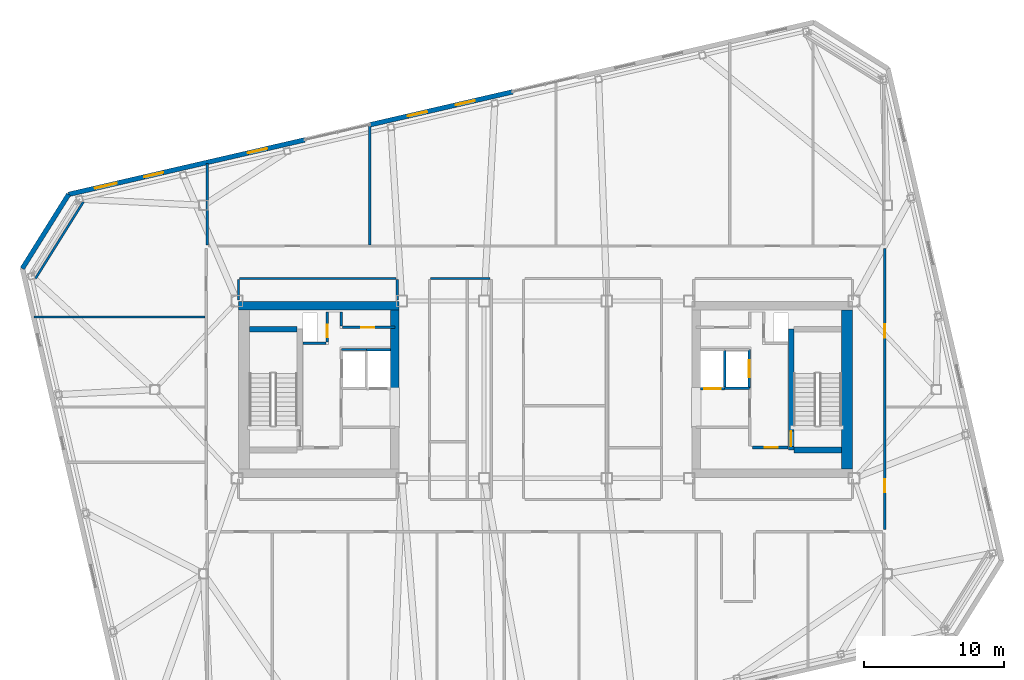
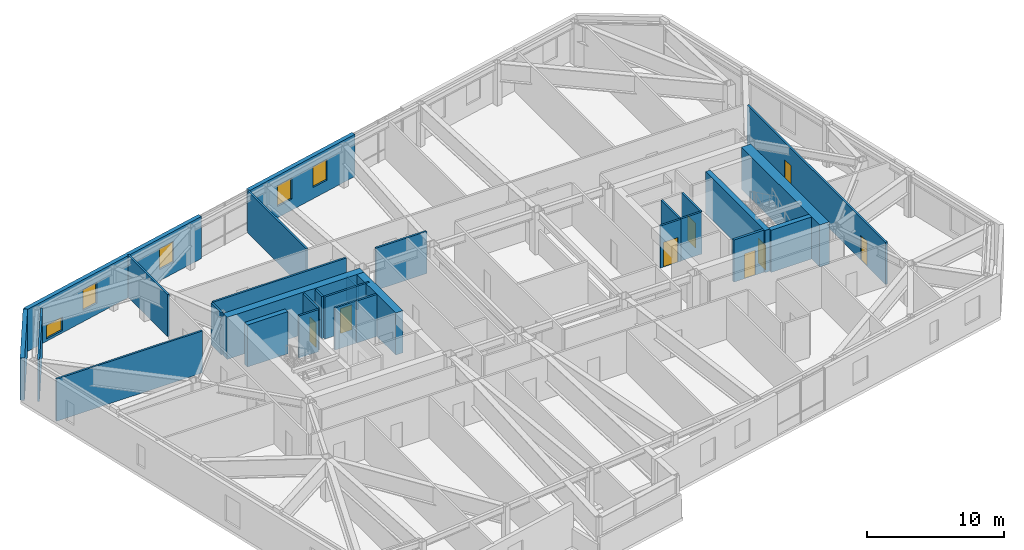
# One storey, part 16 of 21: 29 walls, 8 doors, 5 windows, 13 openings.
"""IFC4 building model written with IfcOpenShell, lengths in metres."""

import ifcopenshell
import ifcopenshell.guid

model = None  # the IFC model being written
_history = None  # IfcOwnerHistory: only IFC2X3 demands one
_inside = {}  # id of a spatial element -> (the spatial element, [elements in it])
_under = {}  # id of a project, library or spatial element -> (it, [spatial elements below it])
_declared = {}  # id of a project -> (the project, [libraries it declares])
_typed = {}  # id of a type object -> (the type object, [elements of that type])
_made_of = {}  # id of a material, layer set ... -> (it, [elements and type objects made of it])


def new_model(schema):
    """Start an empty IFC model of exactly this schema.

    Asked for "IFC4X3", IfcOpenShell would pick the latest addendum, in which some entities
    have other attributes; the version numbers below select the first issue.
    IFC2X3 requires an IfcOwnerHistory on every rooted entity: one is made here for all.
    """
    global model, _history
    if schema == "IFC4X3":
        model = ifcopenshell.file(schema_version=(4, 3, 0, 0))
    else:
        model = ifcopenshell.file(schema=schema)
    _inside.clear()
    _under.clear()
    _declared.clear()
    _typed.clear()
    _made_of.clear()
    _history = None
    if model.schema == "IFC2X3":
        org = make("IfcOrganization", Name="unknown")
        user = make(
            "IfcPersonAndOrganization",
            ThePerson=make("IfcPerson", FamilyName="unknown"),
            TheOrganization=org,
        )
        app = make(
            "IfcApplication",
            ApplicationDeveloper=org,
            Version="unknown",
            ApplicationFullName="unknown",
            ApplicationIdentifier="unknown",
        )
        _history = make(
            "IfcOwnerHistory",
            OwningUser=user,
            OwningApplication=app,
            ChangeAction="ADDED",
            CreationDate=0,
        )
    return model


def make(cls, **values):
    """One entity of the class cls with the attributes given. An attribute that is None is left unset."""
    return model.create_entity(
        cls, **{name: value for name, value in values.items() if value is not None}
    )


def rooted(cls, **values):
    """An entity with a GlobalId (a new one), such as an element, a storey or a relation."""
    return make(cls, GlobalId=ifcopenshell.guid.new(), OwnerHistory=_history, **values)


def si_unit(unit_type, name, prefix=None):
    """IfcSIUnit, for example si_unit("LENGTHUNIT", "METRE", prefix="MILLI")."""
    return make("IfcSIUnit", UnitType=unit_type, Prefix=prefix, Name=name)


def assignment(units):
    """IfcUnitAssignment: the units of a project."""
    return None if units is None else make("IfcUnitAssignment", Units=units)


def point(xyz):
    """IfcCartesianPoint."""
    return None if xyz is None else make("IfcCartesianPoint", Coordinates=xyz)


def direction(xyz):
    """IfcDirection."""
    return None if xyz is None else make("IfcDirection", DirectionRatios=xyz)


def frame(location, z_axis=None, x_axis=None):
    """IfcAxis2Placement3D, a coordinate frame: its origin and axes. An axis left out is left unset."""
    return make(
        "IfcAxis2Placement3D",
        Location=point(location),
        Axis=direction(z_axis),
        RefDirection=direction(x_axis),
    )


def frame_2d(location, x_axis=None):
    """IfcAxis2Placement2D, a coordinate frame in the plane: its origin and x axis."""
    return make(
        "IfcAxis2Placement2D", Location=point(location), RefDirection=direction(x_axis)
    )


def origin():
    """The frame at (0, 0, 0) with its axes left unset."""
    return frame((0.0, 0.0, 0.0))


def place(relative_to, where):
    """IfcLocalPlacement: puts the frame where relative to a parent placement (None: the world)."""
    return make(
        "IfcLocalPlacement", PlacementRelTo=relative_to, RelativePlacement=where
    )


def context(
    kind, dimensions, precision=None, world=None, true_north=None, identifier=None
):
    """IfcGeometricRepresentationContext, for example the 3D "Model" context."""
    return make(
        "IfcGeometricRepresentationContext",
        ContextIdentifier=identifier,
        ContextType=kind,
        CoordinateSpaceDimension=dimensions,
        Precision=precision,
        WorldCoordinateSystem=world,
        TrueNorth=true_north,
    )


def subcontext(parent, identifier, kind, view, scale=None):
    """IfcGeometricRepresentationSubContext, for example "Body" below "Model"."""
    return make(
        "IfcGeometricRepresentationSubContext",
        ContextIdentifier=identifier,
        ContextType=kind,
        ParentContext=parent,
        TargetScale=scale,
        TargetView=view,
    )


def project(units=None, contexts=None):
    """IfcProject with its units and contexts."""
    return rooted(
        "IfcProject",
        Name="project",
        RepresentationContexts=contexts,
        UnitsInContext=assignment(units),
    )


def spatial(cls, under=None, at=None, **own):
    """A site, building, storey or space (cls), placed at a placement, below another one or the project."""
    s = rooted(cls, ObjectPlacement=at, **own)
    if under is not None:
        _under.setdefault(under.id(), (under, []))[1].append(s)
    return s


def profile(cls, at=None, kind="AREA", **sizes):
    """A parametric profile (cls). Its sizes go by their IFC names, for example OverallWidth=200.0."""
    return make(cls, ProfileType=kind, Position=at, **sizes)


def rectangle(**sizes):
    """IfcRectangleProfileDef."""
    return profile("IfcRectangleProfileDef", **sizes)


def extrude(swept, where, along, depth):
    """IfcExtrudedAreaSolid: the profile swept, set in the frame where, extruded along a direction by depth."""
    return make(
        "IfcExtrudedAreaSolid",
        SweptArea=swept,
        Position=where,
        ExtrudedDirection=direction(along),
        Depth=depth,
    )


def shape(context_of_items, identifier, shape_type, items):
    """IfcShapeRepresentation: the items that make up one representation, for example the "Body"."""
    return make(
        "IfcShapeRepresentation",
        ContextOfItems=context_of_items,
        RepresentationIdentifier=identifier,
        RepresentationType=shape_type,
        Items=items,
    )


def material(Name=None, Category=None):
    """IfcMaterial."""
    return make("IfcMaterial", Name=Name, Category=Category)


def layer(
    of_material, thickness, ventilated=None, Name=None, Category=None, Priority=None
):
    """IfcMaterialLayer: one layer of a wall or slab, of a material (None: an air gap)."""
    return make(
        "IfcMaterialLayer",
        Material=of_material,
        LayerThickness=thickness,
        IsVentilated=ventilated,
        Name=Name,
        Category=Category,
        Priority=Priority,
    )


def layer_set(layers, Name=None):
    """IfcMaterialLayerSet."""
    return make("IfcMaterialLayerSet", MaterialLayers=layers, LayerSetName=Name)


def made_of(thing, what):
    """Note that an element or type object is made of a material, layer set ...; save() writes the relation."""
    if what is not None:
        _made_of.setdefault(what.id(), (what, []))[1].append(thing)
    return thing


def type_object(cls, material=None, **own):
    """A type object (cls), such as IfcWallType, which elements share."""
    return made_of(rooted(cls, **own), material)


def element(
    cls,
    number,
    at=None,
    inside=None,
    cuts=None,
    type_object=None,
    material=None,
    context=None,
    identifier="Body",
    shape_type=None,
    held_by="IfcProductDefinitionShape",
    body=None,
    shapes=None,
    **own,
):
    """One element of the class cls, such as IfcWall. Its Tag is "e" and its number.

    at: its placement. inside: the storey or other place that contains it. cuts: it is an
    opening in that element (IfcRelVoidsElement). A single representation is given by context,
    identifier, shape_type and body (its items); several are given by shapes. held_by: the class
    of the entity that holds the representations. save() writes the other relations.
    """
    e = rooted(cls, Tag="e%d" % number, ObjectPlacement=at, **own)
    if body is not None:
        shapes = [shape(context, identifier, shape_type, body)]
    if shapes is not None:
        e.Representation = make(held_by, Representations=shapes)
    if inside is not None:
        _inside.setdefault(inside.id(), (inside, []))[1].append(e)
    if cuts is not None:
        rooted(
            "IfcRelVoidsElement", RelatingBuildingElement=cuts, RelatedOpeningElement=e
        )
    if type_object is not None:
        _typed.setdefault(type_object.id(), (type_object, []))[1].append(e)
    return made_of(e, material)


def fill(opening, filler):
    """IfcRelFillsElement: the door or window that sits in an opening."""
    return rooted(
        "IfcRelFillsElement",
        RelatingOpeningElement=opening,
        RelatedBuildingElement=filler,
    )


def aggregate(whole, parts):
    """IfcRelAggregates: a whole, such as a stair, and the parts it consists of."""
    return rooted("IfcRelAggregates", RelatingObject=whole, RelatedObjects=parts)


def save(model, path):
    """Write the relations noted so far, then the file.

    IfcRelAggregates (storeys below a building ...), IfcRelContainedInSpatialStructure (elements
    in a storey), IfcRelDefinesByType, IfcRelAssociatesMaterial and IfcRelDeclares: one each for
    every whole, place, type object, material and project.
    """
    for whole, parts in _under.values():
        aggregate(whole, parts)
    for where, things in _inside.values():
        rooted(
            "IfcRelContainedInSpatialStructure",
            RelatedElements=things,
            RelatingStructure=where,
        )
    for kind, things in _typed.values():
        rooted("IfcRelDefinesByType", RelatedObjects=things, RelatingType=kind)
    for what, things in _made_of.values():
        rooted("IfcRelAssociatesMaterial", RelatedObjects=things, RelatingMaterial=what)
    for by, libraries in _declared.values():
        rooted("IfcRelDeclares", RelatingContext=by, RelatedDefinitions=libraries)
    model.write(path)


model = new_model("IFC4")

# Units and contexts
model_context = context("Model", 3, precision=1e-05, world=origin(), true_north=direction((0.0, 1.0)))
body_context = subcontext(model_context, "Body", "Model", "MODEL_VIEW")
ifc_project = project(units=[si_unit("LENGTHUNIT", "METRE"), si_unit("AREAUNIT", "SQUARE_METRE"), si_unit("VOLUMEUNIT", "CUBIC_METRE"), si_unit("PLANEANGLEUNIT", "RADIAN"), si_unit("MASSUNIT", "GRAM", prefix="KILO")], contexts=[model_context])

# Site, building, storey
site_placement = place(None, origin())
site = spatial("IfcSite", under=ifc_project, at=site_placement, CompositionType="ELEMENT")
building_placement = place(site_placement, origin())
building = spatial("IfcBuilding", under=site, at=building_placement, Name="Tavrogorsk Clinical Tower", CompositionType="ELEMENT")
storey_placement = place(building_placement, frame((0.0, 0.0, 281.0)))
storey = spatial("IfcBuildingStorey", under=building, at=storey_placement, Name="L65", CompositionType="ELEMENT", Elevation=281.0)

# Wall, opening, door
ifc_material_1 = material(Name="Concrete B60", Category="concrete")
ifc_layer_1 = layer(ifc_material_1, 0.199951171875)
ifc_layer_set_1 = layer_set([ifc_layer_1], Name="Concrete B60")
wall_type_1 = type_object("IfcWallType", Name="CoreFireWall_200", PredefinedType="SOLIDWALL", material=ifc_layer_set_1)
wall_1_placement = place(storey_placement, frame((14.824951171875, -4.139892578125, 0.0), z_axis=(0.0, 0.0, 1.0), x_axis=(1.0, 0.0, 0.0)))
wall_1 = element("IfcWall", 1, at=wall_1_placement, inside=storey, type_object=wall_type_1, Name="L65 Core East South Core Room Fire Wall", PredefinedType="SOLIDWALL", context=body_context, shape_type="SweptSolid", body=[
    extrude(rectangle(XDim=2.554931640625, YDim=0.199951171875, at=frame_2d((1.27734375, 0.0))), origin(), (0.0, 0.0, 1.0), 3.739990234375),
])
opening_1_placement = place(wall_1_placement, frame((0.8798828125, 0.0, 0.0)))
opening_1 = element("IfcOpeningElement", 2, at=opening_1_placement, cuts=wall_1, Name="Opening ID-02", PredefinedType="OPENING", context=body_context, shape_type="SweptSolid", body=[
    extrude(rectangle(XDim=0.949951171875, YDim=2.199951171875, at=frame_2d((0.47509765625, 1.10009765625))), frame((0.0, 0.10986328125, 0.0), z_axis=(0.0, -1.0, 0.0), x_axis=(1.0, 0.0, 0.0)), (0.0, 0.0, 1.0), 0.219970703125),
])
ifc_material_2 = material(Name="Laminated timber leaf on aluminium frame", Category="wood")
door_type_1 = type_object("IfcDoorType", Name="InteriorDoor_ID02_950", OperationType="NOTDEFINED", PredefinedType="DOOR", material=ifc_material_2)
door_1_placement = place(opening_1_placement, origin())
door_1 = element("IfcDoor", 3, at=door_1_placement, inside=storey, type_object=door_type_1, Name="L65 Core East South Core Room Door", OperationType="SINGLE_SWING_RIGHT", OverallHeight=2.199951171875, OverallWidth=0.949951171875, PredefinedType="DOOR", context=body_context, shape_type="SweptSolid", body=[
    extrude(rectangle(XDim=0.949951171875, YDim=2.199951171875, at=frame_2d((0.47509765625, 1.10009765625))), frame((0.0, 0.02490234375, 0.0), z_axis=(0.0, -1.0, 0.0), x_axis=(1.0, 0.0, 0.0)), (0.0, 0.0, 1.0), 0.050048828125),
])
fill(opening_1, door_1)

ifc_material_3 = material(Name="Lightweight concrete blockwork B15", Category="masonry")
ifc_layer_2 = layer(ifc_material_3, 0.159912109375)
ifc_layer_set_2 = layer_set([ifc_layer_2], Name="Lightweight concrete blockwork B15")
wall_type_2 = type_object("IfcWallType", Name="PartitionWall_160", PredefinedType="PARTITIONING", material=ifc_layer_set_2)
wall_2_placement = place(storey_placement, frame((-14.554931640625, 4.4599609375, 0.0), z_axis=(0.0, 0.0, 1.0), x_axis=(1.0, 0.0, 0.0)))
wall_2 = element("IfcWall", 4, at=wall_2_placement, inside=storey, type_object=wall_type_2, Name="L65 Core West Pneumatic Dispatch South Wall", PredefinedType="PARTITIONING", context=body_context, shape_type="SweptSolid", body=[
    extrude(rectangle(XDim=3.7548828125, YDim=0.159912109375, at=frame_2d((1.87744140625, 0.0))), origin(), (0.0, 0.0, 1.0), 3.739990234375),
])
opening_2_placement = place(wall_2_placement, frame((1.35009765625, 0.0, 0.0)))
opening_2 = element("IfcOpeningElement", 5, at=opening_2_placement, cuts=wall_2, Name="Opening ID-02", PredefinedType="OPENING", context=body_context, shape_type="SweptSolid", body=[
    extrude(rectangle(XDim=0.949951171875, YDim=2.199951171875, at=frame_2d((0.47509765625, 1.10009765625))), frame((0.0, 0.08984375, 0.0), z_axis=(0.0, -1.0, 0.0), x_axis=(1.0, 0.0, 0.0)), (0.0, 0.0, 1.0), 0.179931640625),
])
door_2_placement = place(opening_2_placement, origin())
door_2 = element("IfcDoor", 6, at=door_2_placement, inside=storey, type_object=door_type_1, Name="L65 Core West Pneumatic Dispatch Door", OperationType="SINGLE_SWING_LEFT", OverallHeight=2.199951171875, OverallWidth=0.949951171875, PredefinedType="DOOR", context=body_context, shape_type="SweptSolid", body=[
    extrude(rectangle(XDim=0.949951171875, YDim=2.199951171875, at=frame_2d((0.47509765625, 1.10009765625))), frame((0.0, 0.02490234375, 0.0), z_axis=(0.0, -1.0, 0.0), x_axis=(1.0, 0.0, 0.0)), (0.0, 0.0, 1.0), 0.050048828125),
])
fill(opening_2, door_2)

# Walls
wall_3_placement = place(storey_placement, frame((-14.639892578125, 4.544921875, 0.0), z_axis=(0.0, 0.0, 1.0), x_axis=(0.0, 1.0, 0.0)))
element("IfcWall", 7, at=wall_3_placement, inside=storey, type_object=wall_type_2, Name="L65 Core West Pneumatic Dispatch East Wall", PredefinedType="PARTITIONING", context=body_context, shape_type="SweptSolid", body=[
    extrude(rectangle(XDim=1.01513671875, YDim=0.159912109375, at=frame_2d((0.507568359375, 0.0))), origin(), (0.0, 0.0, 1.0), 3.739990234375),
])
wall_4_placement = place(storey_placement, frame((-33.10009765625, 13.464599609375, 0.0), z_axis=(0.0, 0.0, 1.0), x_axis=(-0.529958457806, -0.848023604035, 0.0)))
element("IfcWall", 8, at=wall_4_placement, inside=storey, type_object=wall_type_2, Name="L65 Corner Exoskeleton Brace Furring Wall 3", PredefinedType="PARTITIONING", context=body_context, shape_type="SweptSolid", body=[
    extrude(rectangle(XDim=6.505126953125, YDim=0.159912109375, at=frame_2d((3.25244140625, 0.0))), origin(), (0.0, 0.0, 1.0), 3.739990234375),
])

# Wall, openings, doors
wall_5_placement = place(storey_placement, frame((24.31005859375, 10.114990234375, 0.0), z_axis=(0.0, 0.0, 1.0), x_axis=(0.0, -1.0, 0.0)))
wall_5 = element("IfcWall", 9, at=wall_5_placement, inside=storey, type_object=wall_type_2, Name="L65 Corridor Partition 03", PredefinedType="PARTITIONING", context=body_context, shape_type="SweptSolid", body=[
    extrude(rectangle(XDim=20.1298828125, YDim=0.159912109375, at=frame_2d((10.06494140625, 0.0))), origin(), (0.0, 0.0, 1.0), 3.739990234375),
])
opening_3_placement = place(wall_5_placement, frame((16.52587890625, 0.0, 0.0)))
opening_3 = element("IfcOpeningElement", 10, at=opening_3_placement, cuts=wall_5, Name="Opening ID-02", PredefinedType="OPENING", context=body_context, shape_type="SweptSolid", body=[
    extrude(rectangle(XDim=0.949951171875, YDim=2.199951171875, at=frame_2d((0.47509765625, 1.10009765625))), frame((0.0, 0.08984375, 0.0), z_axis=(0.0, -1.0, 0.0), x_axis=(1.0, 0.0, 0.0)), (0.0, 0.0, 1.0), 0.179931640625),
])
opening_4_placement = place(wall_5_placement, frame((5.444091796875, 0.0, 0.0)))
opening_4 = element("IfcOpeningElement", 11, at=opening_4_placement, cuts=wall_5, Name="Opening ID-02", PredefinedType="OPENING", context=body_context, shape_type="SweptSolid", body=[
    extrude(rectangle(XDim=0.949951171875, YDim=2.199951171875, at=frame_2d((0.47509765625, 1.10009765625))), frame((0.0, 0.08984375, 0.0), z_axis=(0.0, -1.0, 0.0), x_axis=(1.0, 0.0, 0.0)), (0.0, 0.0, 1.0), 0.179931640625),
])
door_3_placement = place(opening_3_placement, origin())
door_3 = element("IfcDoor", 12, at=door_3_placement, inside=storey, type_object=door_type_1, Name="L65 E Senior Clinician Suite 1 Door", OperationType="SINGLE_SWING_RIGHT", OverallHeight=2.199951171875, OverallWidth=0.949951171875, PredefinedType="DOOR", context=body_context, shape_type="SweptSolid", body=[
    extrude(rectangle(XDim=0.949951171875, YDim=2.199951171875, at=frame_2d((0.47509765625, 1.10009765625))), frame((0.0, 0.02490234375, 0.0), z_axis=(0.0, -1.0, 0.0), x_axis=(1.0, 0.0, 0.0)), (0.0, 0.0, 1.0), 0.050048828125),
])
fill(opening_3, door_3)
door_4_placement = place(opening_4_placement, origin())
door_4 = element("IfcDoor", 13, at=door_4_placement, inside=storey, type_object=door_type_1, Name="L65 E Multidisciplinary Seminar Suite 2 Door", OperationType="SINGLE_SWING_LEFT", OverallHeight=2.199951171875, OverallWidth=0.949951171875, PredefinedType="DOOR", context=body_context, shape_type="SweptSolid", body=[
    extrude(rectangle(XDim=0.949951171875, YDim=2.199951171875, at=frame_2d((0.47509765625, 1.10009765625))), frame((0.0, 0.02490234375, 0.0), z_axis=(0.0, -1.0, 0.0), x_axis=(1.0, 0.0, 0.0)), (0.0, 0.0, 1.0), 0.050048828125),
])
fill(opening_4, door_4)

# Walls
wall_6_placement = place(storey_placement, frame((-3.965087890625, 7.969970703125, 0.0), z_axis=(0.0, 0.0, 1.0), x_axis=(-1.0, 0.0, 0.0)))
element("IfcWall", 14, at=wall_6_placement, inside=storey, type_object=wall_type_2, Name="L65 Corridor Partition 20", PredefinedType="PARTITIONING", context=body_context, shape_type="SweptSolid", body=[
    extrude(rectangle(XDim=4.27001953125, YDim=0.159912109375, at=frame_2d((2.135009765625, 0.0))), origin(), (0.0, 0.0, 1.0), 3.739990234375),
])
wall_7_placement = place(storey_placement, frame((-10.6298828125, 6.419921875, 0.0), z_axis=(0.0, 0.0, 1.0), x_axis=(0.0, 1.0, 0.0)))
element("IfcWall", 15, at=wall_7_placement, inside=storey, type_object=wall_type_2, Name="L65 Corridor Partition 24", PredefinedType="PARTITIONING", context=body_context, shape_type="SweptSolid", body=[
    extrude(rectangle(XDim=1.465087890625, YDim=0.159912109375, at=frame_2d((0.732421875, 0.0))), origin(), (0.0, 0.0, 1.0), 2.135009765625),
])
wall_8_placement = place(storey_placement, frame((-10.715087890625, 7.969970703125, 0.0), z_axis=(0.0, 0.0, 1.0), x_axis=(-1.0, 0.0, 0.0)))
element("IfcWall", 16, at=wall_8_placement, inside=storey, type_object=wall_type_2, Name="L65 Corridor Partition 25", PredefinedType="PARTITIONING", context=body_context, shape_type="SweptSolid", body=[
    extrude(rectangle(XDim=11.199951171875, YDim=0.159912109375, at=frame_2d((5.60009765625, 0.0))), origin(), (0.0, 0.0, 1.0), 3.739990234375),
])
wall_9_placement = place(storey_placement, frame((-22.0, 7.885009765625, 0.0), z_axis=(0.0, 0.0, 1.0), x_axis=(0.0, -1.0, 0.0)))
element("IfcWall", 17, at=wall_9_placement, inside=storey, type_object=wall_type_2, Name="L65 Corridor Partition 26", PredefinedType="PARTITIONING", context=body_context, shape_type="SweptSolid", body=[
    extrude(rectangle(XDim=1.465087890625, YDim=0.159912109375, at=frame_2d((0.732421875, 0.0))), origin(), (0.0, 0.0, 1.0), 3.739990234375),
])
wall_10_placement = place(storey_placement, frame((-24.22998046875, 10.364990234375, 0.0), z_axis=(0.0, 0.0, 1.0), x_axis=(0.0, 1.0, 0.0)))
element("IfcWall", 18, at=wall_10_placement, inside=storey, type_object=wall_type_2, Name="L65 NW Wing Closure Partition", PredefinedType="PARTITIONING", context=body_context, shape_type="SweptSolid", body=[
    extrude(rectangle(XDim=5.845947265625, YDim=0.159912109375, at=frame_2d((2.9228515625, 0.0))), origin(), (0.0, 0.0, 1.0), 3.739990234375),
])
wall_11_placement = place(storey_placement, frame((-12.60009765625, 10.364990234375, 0.0), z_axis=(0.0, 0.0, 1.0), x_axis=(0.0, 1.0, 0.0)))
element("IfcWall", 19, at=wall_11_placement, inside=storey, type_object=wall_type_2, Name="L65 North Room Partition 1", PredefinedType="PARTITIONING", context=body_context, shape_type="SweptSolid", body=[
    extrude(rectangle(XDim=8.531005859375, YDim=0.159912109375, at=frame_2d((4.265625, 0.0))), origin(), (0.0, 0.0, 1.0), 3.739990234375),
])
wall_12_placement = place(storey_placement, frame((-36.662841796875, 5.199951171875, 0.0), z_axis=(0.0, 0.0, 1.0), x_axis=(1.0, 0.0, 0.0)))
element("IfcWall", 20, at=wall_12_placement, inside=storey, type_object=wall_type_2, Name="L65 W Wing Divider 3", PredefinedType="PARTITIONING", context=body_context, shape_type="SweptSolid", body=[
    extrude(rectangle(XDim=12.267822265625, YDim=0.159912109375, at=frame_2d((6.1337890625, 0.0))), origin(), (0.0, 0.0, 1.0), 3.739990234375),
])

# Wall, openings, windows
ifc_material_4 = material(Name="Precast concrete B45 with limestone cladding", Category="masonry")
ifc_layer_3 = layer(ifc_material_4, 0.340087890625)
ifc_layer_set_3 = layer_set([ifc_layer_3], Name="Precast concrete B45 with limestone cladding")
wall_type_3 = type_object("IfcWallType", Name="PrecastLimestoneWall_340", PredefinedType="STANDARD", material=ifc_layer_set_3)
wall_13_placement = place(storey_placement, frame((-2.3681640625, 21.330078125, 0.0), z_axis=(0.0, 0.0, 1.0), x_axis=(-0.974367213107, -0.224963405961, 0.0)))
wall_13 = element("IfcWall", 21, at=wall_13_placement, inside=storey, type_object=wall_type_3, Name="L65 N Limestone Facade Wall 2", PredefinedType="STANDARD", context=body_context, shape_type="SweptSolid", body=[
    extrude(rectangle(XDim=10.46826171875, YDim=0.340087890625, at=frame_2d((5.234130859375, 0.0))), origin(), (0.0, 0.0, 1.0), 3.739990234375),
])
opening_5_placement = place(wall_13_placement, frame((6.2900390625, 0.0, 1.0)))
opening_5 = element("IfcOpeningElement", 22, at=opening_5_placement, cuts=wall_13, Name="Opening WN-17", PredefinedType="OPENING", context=body_context, shape_type="SweptSolid", body=[
    extrude(rectangle(XDim=1.39990234375, YDim=1.85009765625, at=frame_2d((0.699951171875, 0.925048828125))), frame((0.0, 0.179931640625, 0.0), z_axis=(0.0, -1.0, 0.0), x_axis=(1.0, 0.0, 0.0)), (0.0, 0.0, 1.0), 0.360107421875),
])
opening_6_placement = place(wall_13_placement, frame((2.7783203125, 0.0, 1.0)))
opening_6 = element("IfcOpeningElement", 23, at=opening_6_placement, cuts=wall_13, Name="Opening WN-17", PredefinedType="OPENING", context=body_context, shape_type="SweptSolid", body=[
    extrude(rectangle(XDim=1.39990234375, YDim=1.85009765625, at=frame_2d((0.699951171875, 0.925048828125))), frame((0.0, 0.179931640625, 0.0), z_axis=(0.0, -1.0, 0.0), x_axis=(1.0, 0.0, 0.0)), (0.0, 0.0, 1.0), 0.360107421875),
])
ifc_material_5 = material(Name="Thermally broken aluminium frame and triple IGU", Category="aluminium")
window_type_1 = type_object("IfcWindowType", Name="TelemetryWin_1400x1850", PartitioningType="SINGLE_PANEL", PredefinedType="WINDOW", material=ifc_material_5)
window_1_placement = place(opening_5_placement, origin())
window_1 = element("IfcWindow", 24, at=window_1_placement, inside=storey, type_object=window_type_1, Name="L65 N Chicago Window 05", OverallHeight=1.85009765625, OverallWidth=1.39990234375, PartitioningType="SINGLE_PANEL", PredefinedType="WINDOW", context=body_context, shape_type="SweptSolid", body=[
    extrude(rectangle(XDim=1.39990234375, YDim=1.85009765625, at=frame_2d((0.699951171875, 0.925048828125))), frame((0.0, 0.030029296875, 0.0), z_axis=(0.0, -1.0, 0.0), x_axis=(1.0, 0.0, 0.0)), (0.0, 0.0, 1.0), 0.06005859375),
])
fill(opening_5, window_1)
window_2_placement = place(opening_6_placement, origin())
window_2 = element("IfcWindow", 25, at=window_2_placement, inside=storey, type_object=window_type_1, Name="L65 N Chicago Window 06", OverallHeight=1.85009765625, OverallWidth=1.39990234375, PartitioningType="SINGLE_PANEL", PredefinedType="WINDOW", context=body_context, shape_type="SweptSolid", body=[
    extrude(rectangle(XDim=1.39990234375, YDim=1.85009765625, at=frame_2d((0.699951171875, 0.925048828125))), frame((0.0, 0.030029296875, 0.0), z_axis=(0.0, -1.0, 0.0), x_axis=(1.0, 0.0, 0.0)), (0.0, 0.0, 1.0), 0.06005859375),
])
fill(opening_6, window_2)

wall_14_placement = place(storey_placement, frame((-17.2451171875, 17.895263671875, 0.0), z_axis=(0.0, 0.0, 1.0), x_axis=(-0.97437318493, -0.224937539085, 0.0)))
wall_14 = element("IfcWall", 26, at=wall_14_placement, inside=storey, type_object=wall_type_3, Name="L65 N Limestone Facade Wall 3", PredefinedType="STANDARD", context=body_context, shape_type="SweptSolid", body=[
    extrude(rectangle(XDim=17.365966796875, YDim=0.340087890625, at=frame_2d((8.68310546875, 0.0))), origin(), (0.0, 0.0, 1.0), 3.739990234375),
])
opening_7_placement = place(wall_14_placement, frame((13.82470703125, 0.0, 0.219970703125)))
opening_7 = element("IfcOpeningElement", 27, at=opening_7_placement, cuts=wall_14, Name="Opening WN-09", PredefinedType="OPENING", context=body_context, shape_type="SweptSolid", body=[
    extrude(rectangle(XDim=1.60009765625, YDim=1.199951171875, at=frame_2d((0.800048828125, 0.60009765625))), frame((0.0, 0.179931640625, 0.0), z_axis=(0.0, -1.0, 0.0), x_axis=(1.0, 0.0, 0.0)), (0.0, 0.0, 1.0), 0.360107421875),
])
opening_8_placement = place(wall_14_placement, frame((10.412841796875, 0.0, 1.0)))
opening_8 = element("IfcOpeningElement", 28, at=opening_8_placement, cuts=wall_14, Name="Opening WN-17", PredefinedType="OPENING", context=body_context, shape_type="SweptSolid", body=[
    extrude(rectangle(XDim=1.39990234375, YDim=1.85009765625, at=frame_2d((0.699951171875, 0.925048828125))), frame((0.0, 0.179931640625, 0.0), z_axis=(0.0, -1.0, 0.0), x_axis=(1.0, 0.0, 0.0)), (0.0, 0.0, 1.0), 0.360107421875),
])
opening_9_placement = place(wall_14_placement, frame((2.778564453125, 0.0, 1.0)))
opening_9 = element("IfcOpeningElement", 29, at=opening_9_placement, cuts=wall_14, Name="Opening WN-17", PredefinedType="OPENING", context=body_context, shape_type="SweptSolid", body=[
    extrude(rectangle(XDim=1.39990234375, YDim=1.85009765625, at=frame_2d((0.699951171875, 0.925048828125))), frame((0.0, 0.179931640625, 0.0), z_axis=(0.0, -1.0, 0.0), x_axis=(1.0, 0.0, 0.0)), (0.0, 0.0, 1.0), 0.360107421875),
])
ifc_material_6 = material(Name="Thermally broken aluminium frame and triple IGU", Category="aluminium")
window_type_2 = type_object("IfcWindowType", Name="LowHeadTransWin_1600x1200", PartitioningType="DOUBLE_PANEL_VERTICAL", PredefinedType="WINDOW", material=ifc_material_6)
window_3_placement = place(opening_7_placement, origin())
window_3 = element("IfcWindow", 30, at=window_3_placement, inside=storey, type_object=window_type_2, Name="L65 N Chicago Window 01", OverallHeight=1.199951171875, OverallWidth=1.60009765625, PartitioningType="SINGLE_PANEL", PredefinedType="WINDOW", context=body_context, shape_type="SweptSolid", body=[
    extrude(rectangle(XDim=1.60009765625, YDim=1.199951171875, at=frame_2d((0.800048828125, 0.60009765625))), frame((0.0, 0.030029296875, 0.0), z_axis=(0.0, -1.0, 0.0), x_axis=(1.0, 0.0, 0.0)), (0.0, 0.0, 1.0), 0.06005859375),
])
fill(opening_7, window_3)
window_4_placement = place(opening_8_placement, origin())
window_4 = element("IfcWindow", 31, at=window_4_placement, inside=storey, type_object=window_type_1, Name="L65 N Chicago Window 02", OverallHeight=1.85009765625, OverallWidth=1.39990234375, PartitioningType="SINGLE_PANEL", PredefinedType="WINDOW", context=body_context, shape_type="SweptSolid", body=[
    extrude(rectangle(XDim=1.39990234375, YDim=1.85009765625, at=frame_2d((0.699951171875, 0.925048828125))), frame((0.0, 0.030029296875, 0.0), z_axis=(0.0, -1.0, 0.0), x_axis=(1.0, 0.0, 0.0)), (0.0, 0.0, 1.0), 0.06005859375),
])
fill(opening_8, window_4)
window_5_placement = place(opening_9_placement, origin())
window_5 = element("IfcWindow", 32, at=window_5_placement, inside=storey, type_object=window_type_1, Name="L65 N Chicago Window 04", OverallHeight=1.85009765625, OverallWidth=1.39990234375, PartitioningType="SINGLE_PANEL", PredefinedType="WINDOW", context=body_context, shape_type="SweptSolid", body=[
    extrude(rectangle(XDim=1.39990234375, YDim=1.85009765625, at=frame_2d((0.699951171875, 0.925048828125))), frame((0.0, 0.030029296875, 0.0), z_axis=(0.0, -1.0, 0.0), x_axis=(1.0, 0.0, 0.0)), (0.0, 0.0, 1.0), 0.06005859375),
])
fill(opening_9, window_5)

# Walls
wall_15_placement = place(storey_placement, frame((-34.165771484375, 13.989013671875, 0.0), z_axis=(0.0, 0.0, 1.0), x_axis=(-0.529935887993, -0.848037708252, 0.0)))
element("IfcWall", 33, at=wall_15_placement, inside=storey, type_object=wall_type_3, Name="L65 Chamfered Corner Wall 3", PredefinedType="STANDARD", context=body_context, shape_type="SweptSolid", body=[
    extrude(rectangle(XDim=6.26513671875, YDim=0.340087890625, at=frame_2d((3.132568359375, 0.0))), origin(), (0.0, 0.0, 1.0), 3.739990234375),
])
ifc_material_7 = material(Name="Lightweight concrete blockwork B25", Category="masonry")
ifc_layer_4 = layer(ifc_material_7, 0.159912109375)
ifc_layer_set_4 = layer_set([ifc_layer_4], Name="Lightweight concrete blockwork B25")
wall_type_4 = type_object("IfcWallType", Name="ShaftWall_160", PredefinedType="PARTITIONING", material=ifc_layer_set_4)
wall_16_placement = place(storey_placement, frame((-14.60009765625, 2.8798828125, 0.0), z_axis=(0.0, 0.0, 1.0), x_axis=(1.0, 0.0, 0.0)))
element("IfcWall", 34, at=wall_16_placement, inside=storey, type_object=wall_type_4, Name="L65 FFL-W Shaft North Wall", PredefinedType="PARTITIONING", context=body_context, shape_type="SweptSolid", body=[
    extrude(rectangle(XDim=1.760009765625, YDim=0.159912109375, at=frame_2d((0.8798828125, 0.0))), origin(), (0.0, 0.0, 1.0), 3.739990234375),
])
wall_17_placement = place(storey_placement, frame((-12.820068359375, 2.860107421875, 0.0), z_axis=(0.0, 0.0, 1.0), x_axis=(1.0, 0.0, 0.0)))
element("IfcWall", 35, at=wall_17_placement, inside=storey, type_object=wall_type_4, Name="L65 LP-H1 High-Zone Lift Rear Wall", PredefinedType="PARTITIONING", context=body_context, shape_type="SweptSolid", body=[
    extrude(rectangle(XDim=1.719970703125, YDim=0.159912109375, at=frame_2d((0.85986328125, 0.0))), origin(), (0.0, 0.0, 1.0), 3.739990234375),
])

# Wall, opening, door
wall_18_placement = place(storey_placement, frame((14.60009765625, 0.1201171875, 0.0), z_axis=(0.0, 0.0, 1.0), x_axis=(0.0, 1.0, 0.0)))
wall_18 = element("IfcWall", 36, at=wall_18_placement, inside=storey, type_object=wall_type_4, Name="L65 FFL-E Firefighting Lift Front Wall", PredefinedType="PARTITIONING", context=body_context, shape_type="SweptSolid", body=[
    extrude(rectangle(XDim=2.739990234375, YDim=0.159912109375, at=frame_2d((1.3701171875, 0.0))), origin(), (0.0, 0.0, 1.0), 3.739990234375),
])
opening_10_placement = place(wall_18_placement, frame((0.77001953125, 0.0, 0.0)))
opening_10 = element("IfcOpeningElement", 37, at=opening_10_placement, cuts=wall_18, Name="Opening LD", PredefinedType="OPENING", context=body_context, shape_type="SweptSolid", body=[
    extrude(rectangle(XDim=1.199951171875, YDim=2.199951171875, at=frame_2d((0.60009765625, 1.10009765625))), frame((0.0, 0.08984375, 0.0), z_axis=(0.0, -1.0, 0.0), x_axis=(1.0, 0.0, 0.0)), (0.0, 0.0, 1.0), 0.179931640625),
])
ifc_material_8 = material(Name="Brushed stainless steel AISI 304 sliding doors", Category="steel")
door_type_2 = type_object("IfcDoorType", Name="LiftLandingDoor_LD_1200", OperationType="SLIDING_TO_LEFT", PredefinedType="DOOR", material=ifc_material_8)
door_5_placement = place(opening_10_placement, origin())
door_5 = element("IfcDoor", 38, at=door_5_placement, inside=storey, type_object=door_type_2, Name="L65 FFL-E Sliding Lift Landing Door", OperationType="SLIDING_TO_LEFT", OverallHeight=2.199951171875, OverallWidth=1.199951171875, PredefinedType="DOOR", context=body_context, shape_type="SweptSolid", body=[
    extrude(rectangle(XDim=1.199951171875, YDim=2.199951171875, at=frame_2d((0.60009765625, 1.10009765625))), frame((0.0, 0.02490234375, 0.0), z_axis=(0.0, -1.0, 0.0), x_axis=(1.0, 0.0, 0.0)), (0.0, 0.0, 1.0), 0.050048828125),
])
fill(opening_10, door_5)

# Walls
wall_19_placement = place(storey_placement, frame((12.840087890625, 0.10009765625, 0.0), z_axis=(0.0, 0.0, 1.0), x_axis=(1.0, 0.0, 0.0)))
element("IfcWall", 39, at=wall_19_placement, inside=storey, type_object=wall_type_4, Name="L65 FFL-E Shaft South Wall", PredefinedType="PARTITIONING", context=body_context, shape_type="SweptSolid", body=[
    extrude(rectangle(XDim=1.760009765625, YDim=0.159912109375, at=frame_2d((0.8798828125, 0.0))), origin(), (0.0, 0.0, 1.0), 3.739990234375),
])
wall_20_placement = place(storey_placement, frame((12.840087890625, 0.179931640625, 0.0), z_axis=(0.0, 0.0, 1.0), x_axis=(0.0, 1.0, 0.0)))
element("IfcWall", 40, at=wall_20_placement, inside=storey, type_object=wall_type_4, Name="L65 FFL-E Shaft Back Wall", PredefinedType="PARTITIONING", context=body_context, shape_type="SweptSolid", body=[
    extrude(rectangle(XDim=2.6201171875, YDim=0.159912109375, at=frame_2d((1.31005859375, 0.0))), origin(), (0.0, 0.0, 1.0), 3.739990234375),
])

# Wall, opening, door
wall_21_placement = place(storey_placement, frame((11.10009765625, 0.06005859375, 0.0), z_axis=(0.0, 0.0, 1.0), x_axis=(1.0, 0.0, 0.0)))
wall_21 = element("IfcWall", 41, at=wall_21_placement, inside=storey, type_object=wall_type_4, Name="L65 LP-H2 High-Zone Lift Portal Wall", PredefinedType="PARTITIONING", context=body_context, shape_type="SweptSolid", body=[
    extrude(rectangle(XDim=1.719970703125, YDim=0.159912109375, at=frame_2d((0.85986328125, 0.0))), origin(), (0.0, 0.0, 1.0), 3.739990234375),
])
opening_11_placement = place(wall_21_placement, frame((0.260009765625, 0.0, 0.0)))
opening_11 = element("IfcOpeningElement", 42, at=opening_11_placement, cuts=wall_21, Name="Opening LD", PredefinedType="OPENING", context=body_context, shape_type="SweptSolid", body=[
    extrude(rectangle(XDim=1.199951171875, YDim=2.199951171875, at=frame_2d((0.60009765625, 1.10009765625))), frame((0.0, 0.08984375, 0.0), z_axis=(0.0, -1.0, 0.0), x_axis=(1.0, 0.0, 0.0)), (0.0, 0.0, 1.0), 0.179931640625),
])
door_6_placement = place(opening_11_placement, origin())
door_6 = element("IfcDoor", 43, at=door_6_placement, inside=storey, type_object=door_type_2, Name="L65 LP-H2 Sliding Lift Landing Door", OperationType="SLIDING_TO_LEFT", OverallHeight=2.199951171875, OverallWidth=1.199951171875, PredefinedType="DOOR", context=body_context, shape_type="SweptSolid", body=[
    extrude(rectangle(XDim=1.199951171875, YDim=2.199951171875, at=frame_2d((0.60009765625, 1.10009765625))), frame((0.0, 0.02490234375, 0.0), z_axis=(0.0, -1.0, 0.0), x_axis=(1.0, 0.0, 0.0)), (0.0, 0.0, 1.0), 0.050048828125),
])
fill(opening_11, door_6)

wall_22_placement = place(storey_placement, frame((-15.639892578125, 3.405029296875, 0.0), z_axis=(0.0, 0.0, 1.0), x_axis=(0.0, 1.0, 0.0)))
wall_22 = element("IfcWall", 44, at=wall_22_placement, inside=storey, type_object=wall_type_4, Name="L65 Core West Riser West Wall", PredefinedType="PARTITIONING", context=body_context, shape_type="SweptSolid", body=[
    extrude(rectangle(XDim=2.155029296875, YDim=0.159912109375, at=frame_2d((1.07763671875, 0.0))), origin(), (0.0, 0.0, 1.0), 3.739990234375),
])
opening_12_placement = place(wall_22_placement, frame((0.35009765625, 0.0, 0.0)))
opening_12 = element("IfcOpeningElement", 45, at=opening_12_placement, cuts=wall_22, Name="Opening FD-02", PredefinedType="OPENING", context=body_context, shape_type="SweptSolid", body=[
    extrude(rectangle(XDim=0.89990234375, YDim=2.199951171875, at=frame_2d((0.449951171875, 1.10009765625))), frame((0.0, 0.08984375, 0.0), z_axis=(0.0, -1.0, 0.0), x_axis=(1.0, 0.0, 0.0)), (0.0, 0.0, 1.0), 0.179931640625),
])
ifc_material_9 = material(Name="Galvanised steel fire-rated door assembly", Category="steel")
door_type_3 = type_object("IfcDoorType", Name="FireDoor_FD02_900", OperationType="NOTDEFINED", PredefinedType="DOOR", material=ifc_material_9)
door_7_placement = place(opening_12_placement, origin())
door_7 = element("IfcDoor", 46, at=door_7_placement, inside=storey, type_object=door_type_3, Name="L65 Core West Electrical Riser Access Door", OperationType="SINGLE_SWING_LEFT", OverallHeight=2.199951171875, OverallWidth=0.89990234375, PredefinedType="DOOR", context=body_context, shape_type="SweptSolid", body=[
    extrude(rectangle(XDim=0.89990234375, YDim=2.199951171875, at=frame_2d((0.449951171875, 1.10009765625))), frame((0.0, 0.02490234375, 0.0), z_axis=(0.0, -1.0, 0.0), x_axis=(1.0, 0.0, 0.0)), (0.0, 0.0, 1.0), 0.050048828125),
])
fill(opening_12, door_7)

# Walls
wall_23_placement = place(storey_placement, frame((-17.3798828125, 3.320068359375, 0.0), z_axis=(0.0, 0.0, 1.0), x_axis=(1.0, 0.0, 0.0)))
element("IfcWall", 47, at=wall_23_placement, inside=storey, type_object=wall_type_4, Name="L65 Core West Riser South Wall", PredefinedType="PARTITIONING", context=body_context, shape_type="SweptSolid", body=[
    extrude(rectangle(XDim=1.65478515625, YDim=0.159912109375, at=frame_2d((0.827392578125, 0.0))), origin(), (0.0, 0.0, 1.0), 3.739990234375),
])
ifc_material_10 = material(Name="Concrete B80", Category="concrete")
ifc_layer_5 = layer(ifc_material_10, 0.39990234375)
ifc_layer_set_5 = layer_set([ifc_layer_5], Name="Concrete B80")
wall_type_5 = type_object("IfcWallType", Name="ShearWall_400", PredefinedType="SHEAR", material=ifc_layer_set_5)
wall_24_placement = place(storey_placement, frame((-21.199951171875, 4.324951171875, 0.0), z_axis=(0.0, 0.0, 1.0), x_axis=(1.0, 0.0, 0.0)))
element("IfcWall", 48, at=wall_24_placement, inside=storey, type_object=wall_type_5, Name="L65 Core West Stair Shaft North Shear Wall", PredefinedType="SHEAR", context=body_context, shape_type="SweptSolid", body=[
    extrude(rectangle(XDim=3.39990234375, YDim=0.39990234375, at=frame_2d((1.699951171875, 0.0))), origin(), (0.0, 0.0, 1.0), 3.739990234375),
])

# Wall, opening, door
wall_25_placement = place(storey_placement, frame((17.60009765625, -4.324951171875, 0.0), z_axis=(0.0, 0.0, 1.0), x_axis=(0.0, 1.0, 0.0)))
wall_25 = element("IfcWall", 49, at=wall_25_placement, inside=storey, type_object=wall_type_5, Name="L65 Core East Stair Shaft Inner Shear Wall", PredefinedType="SHEAR", context=body_context, shape_type="SweptSolid", body=[
    extrude(rectangle(XDim=8.64990234375, YDim=0.39990234375, at=frame_2d((4.324951171875, 0.0))), origin(), (0.0, 0.0, 1.0), 3.739990234375),
])
opening_13_placement = place(wall_25_placement, frame((0.25, 0.0, 0.0)))
opening_13 = element("IfcOpeningElement", 50, at=opening_13_placement, cuts=wall_25, Name="Opening SD-01", PredefinedType="OPENING", context=body_context, shape_type="SweptSolid", body=[
    extrude(rectangle(XDim=1.10009765625, YDim=2.199951171875, at=frame_2d((0.550048828125, 1.10009765625))), frame((0.0, 0.2099609375, 0.0), z_axis=(0.0, -1.0, 0.0), x_axis=(1.0, 0.0, 0.0)), (0.0, 0.0, 1.0), 0.419921875),
])
ifc_material_11 = material(Name="Galvanised steel smoke-tight fire door assembly", Category="steel")
door_type_4 = type_object("IfcDoorType", Name="StairFireDoor_SD01_1100", OperationType="NOTDEFINED", PredefinedType="DOOR", material=ifc_material_11)
door_8_placement = place(opening_13_placement, origin())
door_8 = element("IfcDoor", 51, at=door_8_placement, inside=storey, type_object=door_type_4, Name="L65 ST-E Exit Stair Door", OperationType="SINGLE_SWING_LEFT", OverallHeight=2.199951171875, OverallWidth=1.10009765625, PredefinedType="DOOR", context=body_context, shape_type="SweptSolid", body=[
    extrude(rectangle(XDim=1.10009765625, YDim=2.199951171875, at=frame_2d((0.550048828125, 1.10009765625))), frame((0.0, 0.02490234375, 0.0), z_axis=(0.0, -1.0, 0.0), x_axis=(1.0, 0.0, 0.0)), (0.0, 0.0, 1.0), 0.050048828125),
])
fill(opening_13, door_8)

# Walls
wall_26_placement = place(storey_placement, frame((17.800048828125, -4.324951171875, 0.0), z_axis=(0.0, 0.0, 1.0), x_axis=(1.0, 0.0, 0.0)))
element("IfcWall", 52, at=wall_26_placement, inside=storey, type_object=wall_type_5, Name="L65 Core East Stair Shaft South Shear Wall", PredefinedType="SHEAR", context=body_context, shape_type="SweptSolid", body=[
    extrude(rectangle(XDim=3.39990234375, YDim=0.39990234375, at=frame_2d((1.699951171875, 0.0))), origin(), (0.0, 0.0, 1.0), 3.739990234375),
])
ifc_material_12 = material(Name="Concrete B80", Category="concrete")
ifc_layer_6 = layer(ifc_material_12, 0.60009765625)
ifc_layer_set_6 = layer_set([ifc_layer_6], Name="Concrete B80")
wall_type_6 = type_object("IfcWallType", Name="ShearWall_600", PredefinedType="SHEAR", material=ifc_layer_set_6)
wall_27_placement = place(storey_placement, frame((-22.0, 6.0, 0.0), z_axis=(0.0, 0.0, 1.0), x_axis=(1.0, 0.0, 0.0)))
element("IfcWall", 53, at=wall_27_placement, inside=storey, type_object=wall_type_6, Name="L65 Core West North Shear Wall", PredefinedType="SHEAR", context=body_context, shape_type="SweptSolid", body=[
    extrude(rectangle(XDim=11.5, YDim=0.60009765625, at=frame_2d((5.75, 0.0))), origin(), (0.0, 0.0, 1.0), 3.739990234375),
])
wall_28_placement = place(storey_placement, frame((-10.800048828125, 0.050048828125, 0.0), z_axis=(0.0, 0.0, 1.0), x_axis=(0.0, 1.0, 0.0)))
element("IfcWall", 54, at=wall_28_placement, inside=storey, type_object=wall_type_6, Name="L65 Core West Inner North Pier", PredefinedType="SHEAR", context=body_context, shape_type="SweptSolid", body=[
    extrude(rectangle(XDim=5.64990234375, YDim=0.60009765625, at=frame_2d((2.824951171875, 0.0))), origin(), (0.0, 0.0, 1.0), 3.739990234375),
])
ifc_material_13 = material(Name="Concrete B80", Category="concrete")
ifc_layer_7 = layer(ifc_material_13, 0.800048828125)
ifc_layer_set_7 = layer_set([ifc_layer_7], Name="Concrete B80")
wall_type_7 = type_object("IfcWallType", Name="ShearWall_800", PredefinedType="SHEAR", material=ifc_layer_set_7)
wall_29_placement = place(storey_placement, frame((21.60009765625, -5.699951171875, 0.0), z_axis=(0.0, 0.0, 1.0), x_axis=(0.0, 1.0, 0.0)))
element("IfcWall", 55, at=wall_29_placement, inside=storey, type_object=wall_type_7, Name="L65 Core East End Shear Wall", PredefinedType="SHEAR", context=body_context, shape_type="SweptSolid", body=[
    extrude(rectangle(XDim=11.39990234375, YDim=0.800048828125, at=frame_2d((5.699951171875, 0.0))), origin(), (0.0, 0.0, 1.0), 3.739990234375),
])

save(model, "model.ifc")
